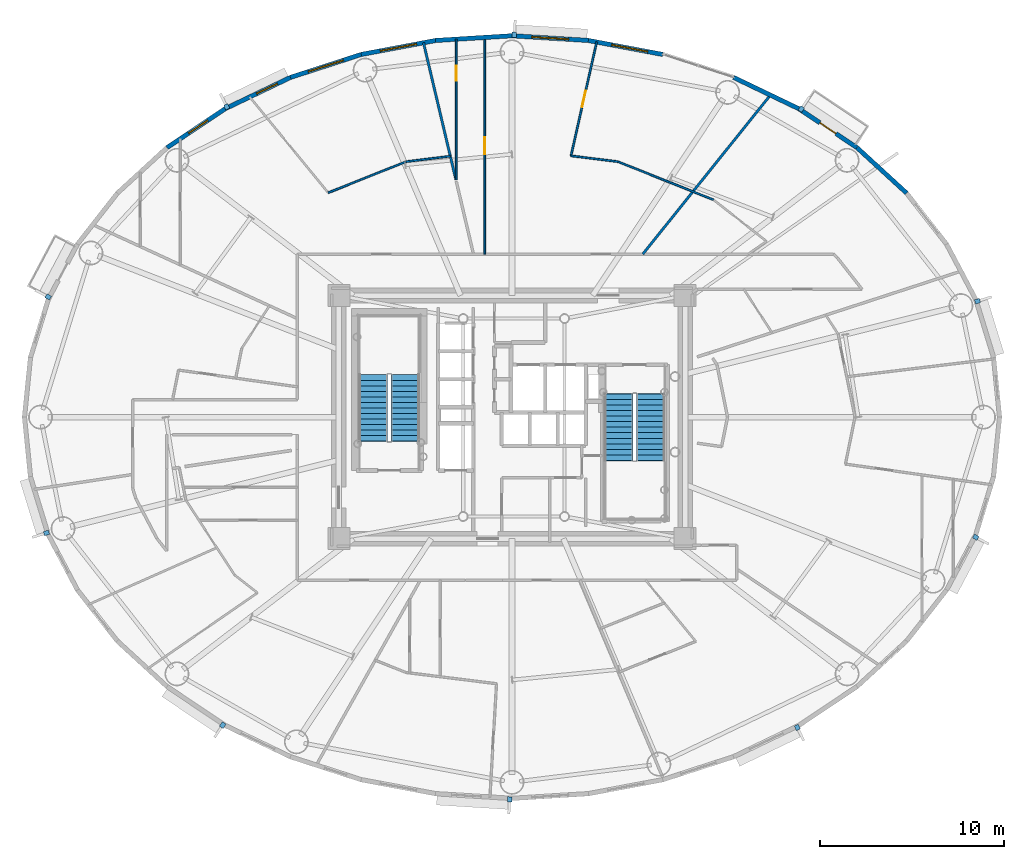
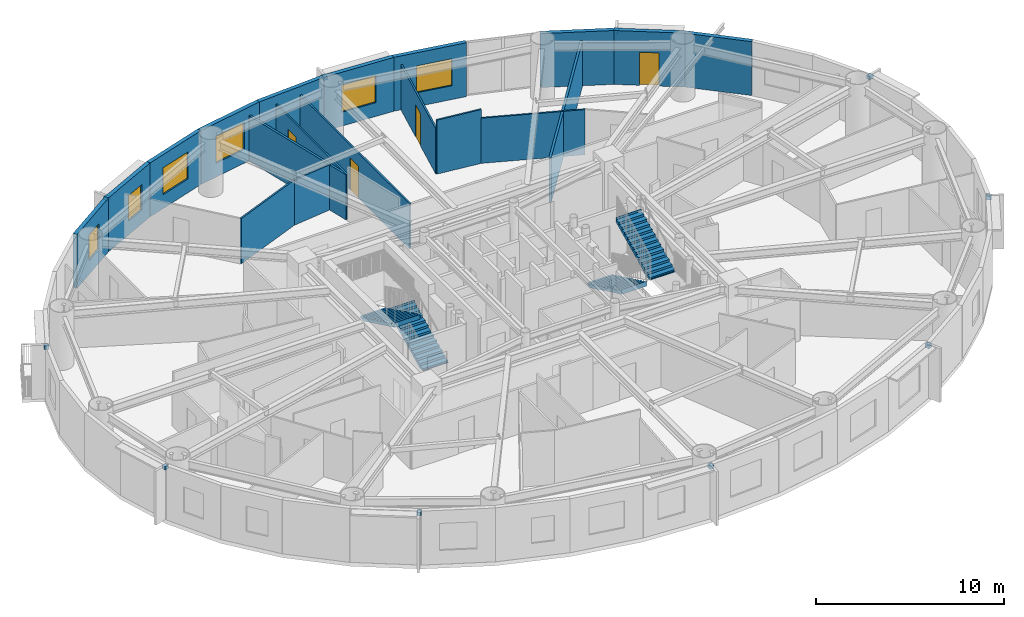
# One storey, part 14 of 21: 19 walls, 10 discrete accessories, 6 windows, 4 doors, 4 stair flights, 10 openings, 2 elements without a shape of their own.
"""IFC4 building model written with IfcOpenShell, lengths in metres."""

import ifcopenshell
import ifcopenshell.guid

model = None  # the IFC model being written
_history = None  # IfcOwnerHistory: only IFC2X3 demands one
_inside = {}  # id of a spatial element -> (the spatial element, [elements in it])
_under = {}  # id of a project, library or spatial element -> (it, [spatial elements below it])
_declared = {}  # id of a project -> (the project, [libraries it declares])
_typed = {}  # id of a type object -> (the type object, [elements of that type])
_made_of = {}  # id of a material, layer set ... -> (it, [elements and type objects made of it])


def new_model(schema):
    """Start an empty IFC model of exactly this schema.

    Asked for "IFC4X3", IfcOpenShell would pick the latest addendum, in which some entities
    have other attributes; the version numbers below select the first issue.
    IFC2X3 requires an IfcOwnerHistory on every rooted entity: one is made here for all.
    """
    global model, _history
    if schema == "IFC4X3":
        model = ifcopenshell.file(schema_version=(4, 3, 0, 0))
    else:
        model = ifcopenshell.file(schema=schema)
    _inside.clear()
    _under.clear()
    _declared.clear()
    _typed.clear()
    _made_of.clear()
    _history = None
    if model.schema == "IFC2X3":
        org = make("IfcOrganization", Name="unknown")
        user = make(
            "IfcPersonAndOrganization",
            ThePerson=make("IfcPerson", FamilyName="unknown"),
            TheOrganization=org,
        )
        app = make(
            "IfcApplication",
            ApplicationDeveloper=org,
            Version="unknown",
            ApplicationFullName="unknown",
            ApplicationIdentifier="unknown",
        )
        _history = make(
            "IfcOwnerHistory",
            OwningUser=user,
            OwningApplication=app,
            ChangeAction="ADDED",
            CreationDate=0,
        )
    return model


def make(cls, **values):
    """One entity of the class cls with the attributes given. An attribute that is None is left unset."""
    return model.create_entity(
        cls, **{name: value for name, value in values.items() if value is not None}
    )


def rooted(cls, **values):
    """An entity with a GlobalId (a new one), such as an element, a storey or a relation."""
    return make(cls, GlobalId=ifcopenshell.guid.new(), OwnerHistory=_history, **values)


def si_unit(unit_type, name, prefix=None):
    """IfcSIUnit, for example si_unit("LENGTHUNIT", "METRE", prefix="MILLI")."""
    return make("IfcSIUnit", UnitType=unit_type, Prefix=prefix, Name=name)


def assignment(units):
    """IfcUnitAssignment: the units of a project."""
    return None if units is None else make("IfcUnitAssignment", Units=units)


def point(xyz):
    """IfcCartesianPoint."""
    return None if xyz is None else make("IfcCartesianPoint", Coordinates=xyz)


def direction(xyz):
    """IfcDirection."""
    return None if xyz is None else make("IfcDirection", DirectionRatios=xyz)


def frame(location, z_axis=None, x_axis=None):
    """IfcAxis2Placement3D, a coordinate frame: its origin and axes. An axis left out is left unset."""
    return make(
        "IfcAxis2Placement3D",
        Location=point(location),
        Axis=direction(z_axis),
        RefDirection=direction(x_axis),
    )


def frame_2d(location, x_axis=None):
    """IfcAxis2Placement2D, a coordinate frame in the plane: its origin and x axis."""
    return make(
        "IfcAxis2Placement2D", Location=point(location), RefDirection=direction(x_axis)
    )


def origin():
    """The frame at (0, 0, 0) with its axes left unset."""
    return frame((0.0, 0.0, 0.0))


def origin_2d():
    """The frame at (0, 0) in the plane with its x axis left unset."""
    return frame_2d((0.0, 0.0))


def place(relative_to, where):
    """IfcLocalPlacement: puts the frame where relative to a parent placement (None: the world)."""
    return make(
        "IfcLocalPlacement", PlacementRelTo=relative_to, RelativePlacement=where
    )


def context(
    kind, dimensions, precision=None, world=None, true_north=None, identifier=None
):
    """IfcGeometricRepresentationContext, for example the 3D "Model" context."""
    return make(
        "IfcGeometricRepresentationContext",
        ContextIdentifier=identifier,
        ContextType=kind,
        CoordinateSpaceDimension=dimensions,
        Precision=precision,
        WorldCoordinateSystem=world,
        TrueNorth=true_north,
    )


def subcontext(parent, identifier, kind, view, scale=None):
    """IfcGeometricRepresentationSubContext, for example "Body" below "Model"."""
    return make(
        "IfcGeometricRepresentationSubContext",
        ContextIdentifier=identifier,
        ContextType=kind,
        ParentContext=parent,
        TargetScale=scale,
        TargetView=view,
    )


def project(units=None, contexts=None):
    """IfcProject with its units and contexts."""
    return rooted(
        "IfcProject",
        Name="project",
        RepresentationContexts=contexts,
        UnitsInContext=assignment(units),
    )


def spatial(cls, under=None, at=None, **own):
    """A site, building, storey or space (cls), placed at a placement, below another one or the project."""
    s = rooted(cls, ObjectPlacement=at, **own)
    if under is not None:
        _under.setdefault(under.id(), (under, []))[1].append(s)
    return s


def polyline(points):
    """IfcPolyline through the points."""
    return make("IfcPolyline", Points=[point(p) for p in points])


def profile(cls, at=None, kind="AREA", **sizes):
    """A parametric profile (cls). Its sizes go by their IFC names, for example OverallWidth=200.0."""
    return make(cls, ProfileType=kind, Position=at, **sizes)


def rectangle(**sizes):
    """IfcRectangleProfileDef."""
    return profile("IfcRectangleProfileDef", **sizes)


def outline(outer, holes=None, kind="AREA"):
    """IfcArbitraryClosedProfileDef: a profile drawn as a closed curve; with holes, ...WithVoids."""
    if holes is None:
        return make("IfcArbitraryClosedProfileDef", ProfileType=kind, OuterCurve=outer)
    return make(
        "IfcArbitraryProfileDefWithVoids",
        ProfileType=kind,
        OuterCurve=outer,
        InnerCurves=holes,
    )


def extrude(swept, where, along, depth):
    """IfcExtrudedAreaSolid: the profile swept, set in the frame where, extruded along a direction by depth."""
    return make(
        "IfcExtrudedAreaSolid",
        SweptArea=swept,
        Position=where,
        ExtrudedDirection=direction(along),
        Depth=depth,
    )


def shape(context_of_items, identifier, shape_type, items):
    """IfcShapeRepresentation: the items that make up one representation, for example the "Body"."""
    return make(
        "IfcShapeRepresentation",
        ContextOfItems=context_of_items,
        RepresentationIdentifier=identifier,
        RepresentationType=shape_type,
        Items=items,
    )


def source(mapping_origin, context_of_items, identifier, shape_type, items):
    """IfcRepresentationMap: a shape defined once, which mapped items show again and again."""
    return make(
        "IfcRepresentationMap",
        MappingOrigin=mapping_origin,
        MappedRepresentation=shape(context_of_items, identifier, shape_type, items),
    )


def transform(
    local_origin,
    x_axis=None,
    y_axis=None,
    z_axis=None,
    scale=None,
    scale2=None,
    scale3=None,
    uniform=True,
):
    """IfcCartesianTransformationOperator3D, or its non-uniform kind. x_axis, y_axis, z_axis: its Axis1, 2, 3."""
    if uniform:
        return make(
            "IfcCartesianTransformationOperator3D",
            Axis1=direction(x_axis),
            Axis2=direction(y_axis),
            LocalOrigin=point(local_origin),
            Scale=scale,
            Axis3=direction(z_axis),
        )
    return make(
        "IfcCartesianTransformationOperator3DnonUniform",
        Axis1=direction(x_axis),
        Axis2=direction(y_axis),
        LocalOrigin=point(local_origin),
        Scale=scale,
        Axis3=direction(z_axis),
        Scale2=scale2,
        Scale3=scale3,
    )


def mapped(mapping_source, mapping_target):
    """IfcMappedItem: shows the shape of a source again, moved by a transform."""
    return make(
        "IfcMappedItem", MappingSource=mapping_source, MappingTarget=mapping_target
    )


def material(Name=None, Category=None):
    """IfcMaterial."""
    return make("IfcMaterial", Name=Name, Category=Category)


def layer(
    of_material, thickness, ventilated=None, Name=None, Category=None, Priority=None
):
    """IfcMaterialLayer: one layer of a wall or slab, of a material (None: an air gap)."""
    return make(
        "IfcMaterialLayer",
        Material=of_material,
        LayerThickness=thickness,
        IsVentilated=ventilated,
        Name=Name,
        Category=Category,
        Priority=Priority,
    )


def layer_set(layers, Name=None):
    """IfcMaterialLayerSet."""
    return make("IfcMaterialLayerSet", MaterialLayers=layers, LayerSetName=Name)


def made_of(thing, what):
    """Note that an element or type object is made of a material, layer set ...; save() writes the relation."""
    if what is not None:
        _made_of.setdefault(what.id(), (what, []))[1].append(thing)
    return thing


def type_object(cls, material=None, **own):
    """A type object (cls), such as IfcWallType, which elements share."""
    return made_of(rooted(cls, **own), material)


def element(
    cls,
    number,
    at=None,
    inside=None,
    cuts=None,
    type_object=None,
    material=None,
    context=None,
    identifier="Body",
    shape_type=None,
    held_by="IfcProductDefinitionShape",
    body=None,
    shapes=None,
    **own,
):
    """One element of the class cls, such as IfcWall. Its Tag is "e" and its number.

    at: its placement. inside: the storey or other place that contains it. cuts: it is an
    opening in that element (IfcRelVoidsElement). A single representation is given by context,
    identifier, shape_type and body (its items); several are given by shapes. held_by: the class
    of the entity that holds the representations. save() writes the other relations.
    """
    e = rooted(cls, Tag="e%d" % number, ObjectPlacement=at, **own)
    if body is not None:
        shapes = [shape(context, identifier, shape_type, body)]
    if shapes is not None:
        e.Representation = make(held_by, Representations=shapes)
    if inside is not None:
        _inside.setdefault(inside.id(), (inside, []))[1].append(e)
    if cuts is not None:
        rooted(
            "IfcRelVoidsElement", RelatingBuildingElement=cuts, RelatedOpeningElement=e
        )
    if type_object is not None:
        _typed.setdefault(type_object.id(), (type_object, []))[1].append(e)
    return made_of(e, material)


def fill(opening, filler):
    """IfcRelFillsElement: the door or window that sits in an opening."""
    return rooted(
        "IfcRelFillsElement",
        RelatingOpeningElement=opening,
        RelatedBuildingElement=filler,
    )


def aggregate(whole, parts):
    """IfcRelAggregates: a whole, such as a stair, and the parts it consists of."""
    return rooted("IfcRelAggregates", RelatingObject=whole, RelatedObjects=parts)


def save(model, path):
    """Write the relations noted so far, then the file.

    IfcRelAggregates (storeys below a building ...), IfcRelContainedInSpatialStructure (elements
    in a storey), IfcRelDefinesByType, IfcRelAssociatesMaterial and IfcRelDeclares: one each for
    every whole, place, type object, material and project.
    """
    for whole, parts in _under.values():
        aggregate(whole, parts)
    for where, things in _inside.values():
        rooted(
            "IfcRelContainedInSpatialStructure",
            RelatedElements=things,
            RelatingStructure=where,
        )
    for kind, things in _typed.values():
        rooted("IfcRelDefinesByType", RelatedObjects=things, RelatingType=kind)
    for what, things in _made_of.values():
        rooted("IfcRelAssociatesMaterial", RelatedObjects=things, RelatingMaterial=what)
    for by, libraries in _declared.values():
        rooted("IfcRelDeclares", RelatingContext=by, RelatedDefinitions=libraries)
    model.write(path)


model = new_model("IFC4")

# Units and contexts
model_context = context("Model", 3, precision=1e-05, world=origin(), true_north=direction((0.0, 1.0)))
body_context = subcontext(model_context, "Body", "Model", "MODEL_VIEW")
ifc_project = project(units=[si_unit("LENGTHUNIT", "METRE"), si_unit("AREAUNIT", "SQUARE_METRE"), si_unit("VOLUMEUNIT", "CUBIC_METRE"), si_unit("PLANEANGLEUNIT", "RADIAN"), si_unit("MASSUNIT", "GRAM", prefix="KILO")], contexts=[model_context])

# Site, building, storey
site_placement = place(None, origin())
site = spatial("IfcSite", under=ifc_project, at=site_placement, CompositionType="ELEMENT")
building_placement = place(site_placement, origin())
building = spatial("IfcBuilding", under=site, at=building_placement, Name="Linh Dai School and Residence Tower", CompositionType="ELEMENT")
storey_placement = place(building_placement, frame((0.0, 0.0, 156.14990234375)))
storey = spatial("IfcBuildingStorey", under=building, at=storey_placement, Name="L37", CompositionType="ELEMENT", Elevation=156.14990234375)

# Wall
ifc_material_1 = material(Name="Precast Concrete B45 (C35/45)", Category="concrete")
ifc_layer_1 = layer(ifc_material_1, 0.239990234375)
ifc_layer_set_1 = layer_set([ifc_layer_1], Name="Precast Concrete B45 (C35/45)")
wall_type_1 = type_object("IfcWallType", Name="EW-TC-240", PredefinedType="SOLIDWALL", material=ifc_layer_set_1)
wall_1_placement = place(storey_placement, frame((54.73193359375, 41.630615234375, 0.0), z_axis=(0.0, 0.0, 1.0), x_axis=(0.737076565834, -0.675809245349, 0.0)))
element("IfcWall", 1, at=wall_1_placement, inside=storey, type_object=wall_type_1, Name="L37 Terracotta Exterior Wall 05", PredefinedType="SOLIDWALL", context=body_context, shape_type="SweptSolid", body=[
    extrude(rectangle(XDim=3.658203125, YDim=0.239990234375, at=frame_2d((1.8291015625, 0.0))), origin(), (0.0, 0.0, 1.0), 3.5),
])

# Wall, opening, door
wall_2_placement = place(storey_placement, frame((51.5732421875, 43.7431640625, 0.0), z_axis=(0.0, 0.0, 1.0), x_axis=(0.831228998277, -0.555930168657, 0.0)))
wall_2 = element("IfcWall", 2, at=wall_2_placement, inside=storey, type_object=wall_type_1, Name="L37 Terracotta Exterior Wall 06", PredefinedType="SOLIDWALL", context=body_context, shape_type="SweptSolid", body=[
    extrude(rectangle(XDim=3.800048828125, YDim=0.239990234375, at=frame_2d((1.89990234375, 0.0))), origin(), (0.0, 0.0, 1.0), 3.5),
])
opening_1_placement = place(wall_2_placement, frame((1.375, 0.0, 0.0)))
opening_1 = element("IfcOpeningElement", 3, at=opening_1_placement, cuts=wall_2, Name="Opening BD1", PredefinedType="OPENING", context=body_context, shape_type="SweptSolid", body=[
    extrude(rectangle(XDim=1.050048828125, YDim=2.14990234375, at=origin_2d()), frame((0.52490234375, 0.1298828125, 1.074951171875), z_axis=(0.0, -1.0, 0.0), x_axis=(1.0, 0.0, 0.0)), (0.0, 0.0, 1.0), 0.260009765625),
])
ifc_material_2 = material(Name="Double-Glazed Balcony Door", Category="glass")
door_type_1 = type_object("IfcDoorType", Name="DR-BALC-1050x2150", OperationType="NOTDEFINED", PredefinedType="DOOR", material=ifc_material_2)
shared_shape_1 = source(origin(), body_context, "Body", "SweptSolid", [
    extrude(rectangle(XDim=1.050048828125, YDim=2.14990234375, at=origin_2d()), frame((0.52490234375, 0.02490234375, 1.074951171875), z_axis=(0.0, -1.0, 0.0), x_axis=(1.0, 0.0, 0.0)), (0.0, 0.0, 1.0), 0.050048828125),
])
door_1_placement = place(opening_1_placement, origin())
door_1 = element("IfcDoor", 4, at=door_1_placement, inside=storey, type_object=door_type_1, Name="L37 Glazed Balcony Door 06", OperationType="SINGLE_SWING_RIGHT", OverallHeight=2.14990234375, OverallWidth=1.050048828125, PredefinedType="DOOR", context=body_context, shape_type="MappedRepresentation", body=[
    mapped(shared_shape_1, transform((0.0, 0.0, 0.0), x_axis=(1.0, 0.0, 0.0), y_axis=(0.0, 1.0, 0.0), z_axis=(0.0, 0.0, 1.0), scale=1.0)),
])
fill(opening_1, door_1)

# Wall
wall_3_placement = place(storey_placement, frame((48.02978515625, 45.443603515625, 0.0), z_axis=(0.0, 0.0, 1.0), x_axis=(0.901564733809, -0.432644231155, 0.0)))
element("IfcWall", 5, at=wall_3_placement, inside=storey, type_object=wall_type_1, Name="L37 Terracotta Exterior Wall 07", PredefinedType="SOLIDWALL", context=body_context, shape_type="SweptSolid", body=[
    extrude(rectangle(XDim=3.930419921875, YDim=0.239990234375, at=frame_2d((1.96533203125, 0.0))), origin(), (0.0, 0.0, 1.0), 3.5),
])

# Wall, opening, window
wall_4_placement = place(storey_placement, frame((40.145751953125, 47.449462890625, 0.0), z_axis=(0.0, 0.0, 1.0), x_axis=(0.982788108205, -0.184736391573, 0.0)))
wall_4 = element("IfcWall", 6, at=wall_4_placement, inside=storey, type_object=wall_type_1, Name="L37 Terracotta Exterior Wall 09", PredefinedType="SOLIDWALL", context=body_context, shape_type="SweptSolid", body=[
    extrude(rectangle(XDim=4.114013671875, YDim=0.239990234375, at=frame_2d((2.05712890625, 0.0))), origin(), (0.0, 0.0, 1.0), 3.5),
])
opening_2_placement = place(wall_4_placement, frame((1.281005859375, 0.0, 0.89990234375)))
opening_2 = element("IfcOpeningElement", 7, at=opening_2_placement, cuts=wall_4, Name="Opening W1", PredefinedType="OPENING", context=body_context, shape_type="SweptSolid", body=[
    extrude(rectangle(XDim=2.0, YDim=1.75, at=origin_2d()), frame((1.0, 0.1298828125, 0.875), z_axis=(0.0, -1.0, 0.0), x_axis=(1.0, 0.0, 0.0)), (0.0, 0.0, 1.0), 0.260009765625),
])
ifc_material_3 = material(Name="Double Low-E Insulated Glazing", Category="glass")
window_type_1 = type_object("IfcWindowType", Name="WN-RES-2000x1750", PartitioningType="DOUBLE_PANEL_VERTICAL", PredefinedType="WINDOW", material=ifc_material_3)
shared_shape_2 = source(origin(), body_context, "Body", "SweptSolid", [
    extrude(rectangle(XDim=2.0, YDim=1.75, at=origin_2d()), frame((1.0, 0.030029296875, 0.875), z_axis=(0.0, -1.0, 0.0), x_axis=(1.0, 0.0, 0.0)), (0.0, 0.0, 1.0), 0.06005859375),
])
window_1_placement = place(opening_2_placement, origin())
window_1 = element("IfcWindow", 8, at=window_1_placement, inside=storey, type_object=window_type_1, Name="L37 Exterior Window 09.1", OverallHeight=1.75, OverallWidth=2.0, PartitioningType="DOUBLE_PANEL_VERTICAL", PredefinedType="WINDOW", context=body_context, shape_type="MappedRepresentation", body=[
    mapped(shared_shape_2, transform((0.0, 0.0, 0.0), x_axis=(1.0, 0.0, 0.0), y_axis=(0.0, 1.0, 0.0), z_axis=(0.0, 0.0, 1.0), scale=1.0)),
])
fill(opening_2, window_1)

wall_5_placement = place(storey_placement, frame((36.0, 47.705078125, 0.0), z_axis=(0.0, 0.0, 1.0), x_axis=(0.998104600619, -0.061540281305, 0.0)))
wall_5 = element("IfcWall", 9, at=wall_5_placement, inside=storey, type_object=wall_type_1, Name="L37 Terracotta Exterior Wall 10", PredefinedType="SOLIDWALL", context=body_context, shape_type="SweptSolid", body=[
    extrude(rectangle(XDim=4.153564453125, YDim=0.239990234375, at=frame_2d((2.07666015625, 0.0))), origin(), (0.0, 0.0, 1.0), 3.5),
])
opening_3_placement = place(wall_5_placement, frame((1.076904296875, 0.0, 0.89990234375)))
opening_3 = element("IfcOpeningElement", 10, at=opening_3_placement, cuts=wall_5, Name="Opening W1", PredefinedType="OPENING", context=body_context, shape_type="SweptSolid", body=[
    extrude(rectangle(XDim=2.0, YDim=1.75, at=origin_2d()), frame((1.0, 0.1298828125, 0.875), z_axis=(0.0, -1.0, 0.0), x_axis=(1.0, 0.0, 0.0)), (0.0, 0.0, 1.0), 0.260009765625),
])
window_2_placement = place(opening_3_placement, origin())
window_2 = element("IfcWindow", 11, at=window_2_placement, inside=storey, type_object=window_type_1, Name="L37 Exterior Window 10.1", OverallHeight=1.75, OverallWidth=2.0, PartitioningType="DOUBLE_PANEL_VERTICAL", PredefinedType="WINDOW", context=body_context, shape_type="MappedRepresentation", body=[
    mapped(shared_shape_2, transform((0.0, 0.0, 0.0), x_axis=(1.0, 0.0, 0.0), y_axis=(0.0, 1.0, 0.0), z_axis=(0.0, 0.0, 1.0), scale=1.0)),
])
fill(opening_3, window_2)

# Wall
wall_6_placement = place(storey_placement, frame((31.854248046875, 47.449462890625, 0.0), z_axis=(0.0, 0.0, 1.0), x_axis=(0.998104600619, 0.061540281305, 0.0)))
element("IfcWall", 12, at=wall_6_placement, inside=storey, type_object=wall_type_1, Name="L37 Terracotta Exterior Wall 11", PredefinedType="SOLIDWALL", context=body_context, shape_type="SweptSolid", body=[
    extrude(rectangle(XDim=4.153564453125, YDim=0.239990234375, at=frame_2d((2.07666015625, 0.0))), origin(), (0.0, 0.0, 1.0), 3.5),
])

# Wall, opening, window
wall_7_placement = place(storey_placement, frame((27.81103515625, 46.689453125, 0.0), z_axis=(0.0, 0.0, 1.0), x_axis=(0.982788108205, 0.184736391573, 0.0)))
wall_7 = element("IfcWall", 13, at=wall_7_placement, inside=storey, type_object=wall_type_1, Name="L37 Terracotta Exterior Wall 12", PredefinedType="SOLIDWALL", context=body_context, shape_type="SweptSolid", body=[
    extrude(rectangle(XDim=4.114013671875, YDim=0.239990234375, at=frame_2d((2.05712890625, 0.0))), origin(), (0.0, 0.0, 1.0), 3.5),
])
opening_4_placement = place(wall_7_placement, frame((1.05712890625, 0.0, 0.89990234375)))
opening_4 = element("IfcOpeningElement", 14, at=opening_4_placement, cuts=wall_7, Name="Opening W1", PredefinedType="OPENING", context=body_context, shape_type="SweptSolid", body=[
    extrude(rectangle(XDim=2.0, YDim=1.75, at=origin_2d()), frame((1.0, 0.1298828125, 0.875), z_axis=(0.0, -1.0, 0.0), x_axis=(1.0, 0.0, 0.0)), (0.0, 0.0, 1.0), 0.260009765625),
])
window_3_placement = place(opening_4_placement, origin())
window_3 = element("IfcWindow", 15, at=window_3_placement, inside=storey, type_object=window_type_1, Name="L37 Exterior Window 12.1", OverallHeight=1.75, OverallWidth=2.0, PartitioningType="DOUBLE_PANEL_VERTICAL", PredefinedType="WINDOW", context=body_context, shape_type="MappedRepresentation", body=[
    mapped(shared_shape_2, transform((0.0, 0.0, 0.0), x_axis=(1.0, 0.0, 0.0), y_axis=(0.0, 1.0, 0.0), z_axis=(0.0, 0.0, 1.0), scale=1.0)),
])
fill(opening_4, window_3)

wall_8_placement = place(storey_placement, frame((23.97021484375, 45.443603515625, 0.0), z_axis=(0.0, 0.0, 1.0), x_axis=(0.951209870236, 0.30854462038, 0.0)))
wall_8 = element("IfcWall", 16, at=wall_8_placement, inside=storey, type_object=wall_type_1, Name="L37 Terracotta Exterior Wall 13", PredefinedType="SOLIDWALL", context=body_context, shape_type="SweptSolid", body=[
    extrude(rectangle(XDim=4.037841796875, YDim=0.239990234375, at=frame_2d((2.01904296875, 0.0))), origin(), (0.0, 0.0, 1.0), 3.5),
])
opening_5_placement = place(wall_8_placement, frame((1.01904296875, 0.0, 0.89990234375)))
opening_5 = element("IfcOpeningElement", 17, at=opening_5_placement, cuts=wall_8, Name="Opening W1", PredefinedType="OPENING", context=body_context, shape_type="SweptSolid", body=[
    extrude(rectangle(XDim=2.0, YDim=1.75, at=origin_2d()), frame((1.0, 0.1298828125, 0.875), z_axis=(0.0, -1.0, 0.0), x_axis=(1.0, 0.0, 0.0)), (0.0, 0.0, 1.0), 0.260009765625),
])
window_4_placement = place(opening_5_placement, origin())
window_4 = element("IfcWindow", 18, at=window_4_placement, inside=storey, type_object=window_type_1, Name="L37 Exterior Window 13.1", OverallHeight=1.75, OverallWidth=2.0, PartitioningType="DOUBLE_PANEL_VERTICAL", PredefinedType="WINDOW", context=body_context, shape_type="MappedRepresentation", body=[
    mapped(shared_shape_2, transform((0.0, 0.0, 0.0), x_axis=(1.0, 0.0, 0.0), y_axis=(0.0, 1.0, 0.0), z_axis=(0.0, 0.0, 1.0), scale=1.0)),
])
fill(opening_5, window_4)

wall_9_placement = place(storey_placement, frame((20.4267578125, 43.7431640625, 0.0), z_axis=(0.0, 0.0, 1.0), x_axis=(0.901564733809, 0.432644231155, 0.0)))
wall_9 = element("IfcWall", 19, at=wall_9_placement, inside=storey, type_object=wall_type_1, Name="L37 Terracotta Exterior Wall 14", PredefinedType="SOLIDWALL", context=body_context, shape_type="SweptSolid", body=[
    extrude(rectangle(XDim=3.930419921875, YDim=0.239990234375, at=frame_2d((1.96533203125, 0.0))), origin(), (0.0, 0.0, 1.0), 3.5),
])
opening_6_placement = place(wall_9_placement, frame((1.900390625, 0.0, 0.89990234375)))
opening_6 = element("IfcOpeningElement", 20, at=opening_6_placement, cuts=wall_9, Name="Opening W3", PredefinedType="OPENING", context=body_context, shape_type="SweptSolid", body=[
    extrude(rectangle(XDim=1.25, YDim=1.64990234375, at=origin_2d()), frame((0.625, 0.1298828125, 0.824951171875), z_axis=(0.0, -1.0, 0.0), x_axis=(1.0, 0.0, 0.0)), (0.0, 0.0, 1.0), 0.260009765625),
])
window_type_2 = type_object("IfcWindowType", Name="WN-RES-1250x1650", PartitioningType="SINGLE_PANEL", PredefinedType="WINDOW", material=ifc_material_3)
shared_shape_3 = source(origin(), body_context, "Body", "SweptSolid", [
    extrude(rectangle(XDim=1.25, YDim=1.64990234375, at=origin_2d()), frame((0.625, 0.030029296875, 0.824951171875), z_axis=(0.0, -1.0, 0.0), x_axis=(1.0, 0.0, 0.0)), (0.0, 0.0, 1.0), 0.06005859375),
])
window_5_placement = place(opening_6_placement, origin())
window_5 = element("IfcWindow", 21, at=window_5_placement, inside=storey, type_object=window_type_2, Name="L37 Exterior Window 14.1", OverallHeight=1.64990234375, OverallWidth=1.25, PartitioningType="SINGLE_PANEL", PredefinedType="WINDOW", context=body_context, shape_type="MappedRepresentation", body=[
    mapped(shared_shape_3, transform((0.0, 0.0, 0.0), x_axis=(1.0, 0.0, 0.0), y_axis=(0.0, 1.0, 0.0), z_axis=(0.0, 0.0, 1.0), scale=1.0)),
])
fill(opening_6, window_5)

wall_10_placement = place(storey_placement, frame((17.26806640625, 41.630615234375, 0.0), z_axis=(0.0, 0.0, 1.0), x_axis=(0.831228998277, 0.555930168657, 0.0)))
wall_10 = element("IfcWall", 22, at=wall_10_placement, inside=storey, type_object=wall_type_1, Name="L37 Terracotta Exterior Wall 15", PredefinedType="SOLIDWALL", context=body_context, shape_type="SweptSolid", body=[
    extrude(rectangle(XDim=3.800048828125, YDim=0.239990234375, at=frame_2d((1.89990234375, 0.0))), origin(), (0.0, 0.0, 1.0), 3.5),
])
opening_7_placement = place(wall_10_placement, frame((1.4052734375, 0.0, 0.89990234375)))
opening_7 = element("IfcOpeningElement", 23, at=opening_7_placement, cuts=wall_10, Name="Opening W3", PredefinedType="OPENING", context=body_context, shape_type="SweptSolid", body=[
    extrude(rectangle(XDim=1.25, YDim=1.64990234375, at=origin_2d()), frame((0.625, 0.1298828125, 0.824951171875), z_axis=(0.0, -1.0, 0.0), x_axis=(1.0, 0.0, 0.0)), (0.0, 0.0, 1.0), 0.260009765625),
])
window_6_placement = place(opening_7_placement, origin())
window_6 = element("IfcWindow", 24, at=window_6_placement, inside=storey, type_object=window_type_2, Name="L37 Dwelling Window U3703-LIV", OverallHeight=1.64990234375, OverallWidth=1.25, PartitioningType="SINGLE_PANEL", PredefinedType="WINDOW", context=body_context, shape_type="MappedRepresentation", body=[
    mapped(shared_shape_3, transform((0.0, 0.0, 0.0), x_axis=(1.0, 0.0, 0.0), y_axis=(0.0, 1.0, 0.0), z_axis=(0.0, 0.0, 1.0), scale=1.0)),
])
fill(opening_7, window_6)

# Walls
ifc_material_4 = material(Name="Autoclaved Aerated Concrete Blockwork", Category="masonry")
ifc_layer_2 = layer(ifc_material_4, 0.135009765625)
ifc_layer_set_2 = layer_set([ifc_layer_2], Name="Autoclaved Aerated Concrete Blockwork")
wall_type_2 = type_object("IfcWallType", Name="IW-CORR-135-EI90", PredefinedType="PARTITIONING", material=ifc_layer_set_2)
wall_11_placement = place(storey_placement, frame((31.193603515625, 47.330322265625, 0.0), z_axis=(0.0, 0.0, 1.0), x_axis=(0.230064999041, -0.973175264902, 0.0)))
element("IfcWall", 25, at=wall_11_placement, inside=storey, type_object=wall_type_2, Name="L37 Interior Partition Wall 035", PredefinedType="PARTITIONING", context=body_context, shape_type="SweptSolid", body=[
    extrude(rectangle(XDim=7.654296875, YDim=0.135009765625, at=frame_2d((3.8271484375, 0.0))), origin(), (0.0, 0.0, 1.0), 2.93505859375),
])
wall_12_placement = place(storey_placement, frame((43.10205078125, 35.85009765625, 0.0), z_axis=(0.0, 0.0, 1.0), x_axis=(0.62588794771, 0.779912993168, 0.0)))
element("IfcWall", 26, at=wall_12_placement, inside=storey, type_object=wall_type_2, Name="L37 Interior Partition Wall 079", PredefinedType="PARTITIONING", context=body_context, shape_type="SweptSolid", body=[
    extrude(rectangle(XDim=11.074951171875, YDim=0.135009765625, at=frame_2d((5.53759765625, 0.0))), origin(), (0.0, 0.0, 1.0), 2.93505859375),
])
ifc_material_5 = material(Name="Gypsum Plasterboard Acoustic Stud Partition", Category="masonry")
ifc_layer_3 = layer(ifc_material_5, 0.10009765625)
ifc_layer_set_3 = layer_set([ifc_layer_3], Name="Gypsum Plasterboard Acoustic Stud Partition")
wall_type_3 = type_object("IfcWallType", Name="IW-UNIT-100", PredefinedType="PARTITIONING", material=ifc_layer_set_3)
wall_13_placement = place(storey_placement, frame((26.020751953125, 39.181396484375, 0.0), z_axis=(0.0, 0.0, 1.0), x_axis=(0.928787254853, 0.37061332305, 0.0)))
element("IfcWall", 27, at=wall_13_placement, inside=storey, type_object=wall_type_3, Name="L37 Interior Partition Wall 028", PredefinedType="PARTITIONING", context=body_context, shape_type="SweptSolid", body=[
    extrude(rectangle(XDim=4.54931640625, YDim=0.10009765625, at=frame_2d((2.274658203125, 0.0))), origin(), (0.0, 0.0, 1.0), 2.93505859375),
])
wall_14_placement = place(storey_placement, frame((30.24609375, 40.867431640625, 0.0), z_axis=(0.0, 0.0, 1.0), x_axis=(0.99240598239, 0.123005553192, 0.0)))
element("IfcWall", 28, at=wall_14_placement, inside=storey, type_object=wall_type_3, Name="L37 Interior Partition Wall 032", PredefinedType="PARTITIONING", context=body_context, shape_type="SweptSolid", body=[
    extrude(rectangle(XDim=2.42333984375, YDim=0.10009765625, at=frame_2d((1.211669921875, 0.0))), origin(), (0.0, 0.0, 1.0), 2.93505859375),
])

# Wall, opening, door
wall_15_placement = place(storey_placement, frame((32.975830078125, 39.884033203125, 0.0), z_axis=(0.0, 0.0, 1.0), x_axis=(0.0, 1.0, 0.0)))
wall_15 = element("IfcWall", 29, at=wall_15_placement, inside=storey, type_object=wall_type_3, Name="L37 Interior Partition Wall 044", PredefinedType="PARTITIONING", context=body_context, shape_type="SweptSolid", body=[
    extrude(rectangle(XDim=7.6396484375, YDim=0.10009765625, at=frame_2d((3.81982421875, 0.0))), origin(), (0.0, 0.0, 1.0), 2.93505859375),
])
opening_8_placement = place(wall_15_placement, frame((5.3837890625, 0.0, 0.0)))
opening_8 = element("IfcOpeningElement", 30, at=opening_8_placement, cuts=wall_15, Name="Opening D06", PredefinedType="OPENING", context=body_context, shape_type="SweptSolid", body=[
    extrude(rectangle(XDim=0.820068359375, YDim=2.10009765625, at=origin_2d()), frame((0.41015625, 0.06005859375, 1.050048828125), z_axis=(0.0, -1.0, 0.0), x_axis=(1.0, 0.0, 0.0)), (0.0, 0.0, 1.0), 0.1201171875),
])
ifc_material_6 = material(Name="Moisture-Resistant Timber Bathroom Door", Category="wood")
door_type_2 = type_object("IfcDoorType", Name="DR-WET-820x2100", OperationType="NOTDEFINED", PredefinedType="DOOR", material=ifc_material_6)
shared_shape_4 = source(origin(), body_context, "Body", "SweptSolid", [
    extrude(rectangle(XDim=0.820068359375, YDim=2.10009765625, at=origin_2d()), frame((0.41015625, 0.02490234375, 1.050048828125), z_axis=(0.0, -1.0, 0.0), x_axis=(1.0, 0.0, 0.0)), (0.0, 0.0, 1.0), 0.050048828125),
])
door_2_placement = place(opening_8_placement, origin())
door_2 = element("IfcDoor", 31, at=door_2_placement, inside=storey, type_object=door_type_2, Name="L37 Apartment U3702 Bathroom 1 Door", OperationType="SINGLE_SWING_LEFT", OverallHeight=2.10009765625, OverallWidth=0.820068359375, PredefinedType="DOOR", context=body_context, shape_type="MappedRepresentation", body=[
    mapped(shared_shape_4, transform((0.0, 0.0, 0.0), x_axis=(1.0, 0.0, 0.0), y_axis=(0.0, 1.0, 0.0), z_axis=(0.0, 0.0, 1.0), scale=1.0)),
])
fill(opening_8, door_2)

wall_16_placement = place(storey_placement, frame((34.517578125, 35.85009765625, 0.0), z_axis=(0.0, 0.0, 1.0), x_axis=(0.0, 1.0, 0.0)))
wall_16 = element("IfcWall", 32, at=wall_16_placement, inside=storey, type_object=wall_type_3, Name="L37 Interior Partition Wall 046", PredefinedType="PARTITIONING", context=body_context, shape_type="SweptSolid", body=[
    extrude(rectangle(XDim=11.7685546875, YDim=0.10009765625, at=frame_2d((5.88427734375, 0.0))), origin(), (0.0, 0.0, 1.0), 2.93505859375),
])
opening_9_placement = place(wall_16_placement, frame((5.434326171875, 0.0, 0.0)))
opening_9 = element("IfcOpeningElement", 33, at=opening_9_placement, cuts=wall_16, Name="Opening D05", PredefinedType="OPENING", context=body_context, shape_type="SweptSolid", body=[
    extrude(rectangle(XDim=0.89990234375, YDim=2.10009765625, at=origin_2d()), frame((0.449951171875, 0.06005859375, 1.050048828125), z_axis=(0.0, -1.0, 0.0), x_axis=(1.0, 0.0, 0.0)), (0.0, 0.0, 1.0), 0.1201171875),
])
ifc_material_7 = material(Name="Engineered Timber Internal Door", Category="wood")
door_type_3 = type_object("IfcDoorType", Name="DR-INT-900x2100", OperationType="NOTDEFINED", PredefinedType="DOOR", material=ifc_material_7)
shared_shape_5 = source(origin(), body_context, "Body", "SweptSolid", [
    extrude(rectangle(XDim=0.89990234375, YDim=2.10009765625, at=origin_2d()), frame((0.449951171875, 0.02490234375, 1.050048828125), z_axis=(0.0, -1.0, 0.0), x_axis=(1.0, 0.0, 0.0)), (0.0, 0.0, 1.0), 0.050048828125),
])
door_3_placement = place(opening_9_placement, origin())
door_3 = element("IfcDoor", 34, at=door_3_placement, inside=storey, type_object=door_type_3, Name="L37 Apartment U3702 Kitchen Door", OperationType="SINGLE_SWING_RIGHT", OverallHeight=2.10009765625, OverallWidth=0.89990234375, PredefinedType="DOOR", context=body_context, shape_type="MappedRepresentation", body=[
    mapped(shared_shape_5, transform((0.0, 0.0, 0.0), x_axis=(1.0, 0.0, 0.0), y_axis=(0.0, 1.0, 0.0), z_axis=(0.0, 0.0, 1.0), scale=1.0)),
])
fill(opening_9, door_3)

wall_17_placement = place(storey_placement, frame((39.202392578125, 41.183837890625, 0.0), z_axis=(0.0, 0.0, 1.0), x_axis=(0.220223056883, 0.975449540067, 0.0)))
wall_17 = element("IfcWall", 35, at=wall_17_placement, inside=storey, type_object=wall_type_3, Name="L37 Interior Partition Wall 067", PredefinedType="PARTITIONING", context=body_context, shape_type="SweptSolid", body=[
    extrude(rectangle(XDim=6.34130859375, YDim=0.10009765625, at=frame_2d((3.170654296875, 0.0))), origin(), (0.0, 0.0, 1.0), 2.93505859375),
])
opening_10_placement = place(wall_17_placement, frame((2.720703125, 0.0, 0.0)))
opening_10 = element("IfcOpeningElement", 36, at=opening_10_placement, cuts=wall_17, Name="Opening D05", PredefinedType="OPENING", context=body_context, shape_type="SweptSolid", body=[
    extrude(rectangle(XDim=0.89990234375, YDim=2.10009765625, at=origin_2d()), frame((0.449951171875, 0.06005859375, 1.050048828125), z_axis=(0.0, -1.0, 0.0), x_axis=(1.0, 0.0, 0.0)), (0.0, 0.0, 1.0), 0.1201171875),
])
door_4_placement = place(opening_10_placement, origin())
door_4 = element("IfcDoor", 37, at=door_4_placement, inside=storey, type_object=door_type_3, Name="L37 Apartment U3702 Principal Bedroom 1 Door", OperationType="SINGLE_SWING_LEFT", OverallHeight=2.10009765625, OverallWidth=0.89990234375, PredefinedType="DOOR", context=body_context, shape_type="MappedRepresentation", body=[
    mapped(shared_shape_5, transform((0.0, 0.0, 0.0), x_axis=(1.0, 0.0, 0.0), y_axis=(0.0, 1.0, 0.0), z_axis=(0.0, 0.0, 1.0), scale=1.0)),
])
fill(opening_10, door_4)

# Walls
wall_18_placement = place(storey_placement, frame((39.202392578125, 41.183837890625, 0.0), z_axis=(0.0, 0.0, 1.0), x_axis=(0.992398655735, -0.123064650065, 0.0)))
element("IfcWall", 38, at=wall_18_placement, inside=storey, type_object=wall_type_3, Name="L37 Interior Partition Wall 068", PredefinedType="PARTITIONING", context=body_context, shape_type="SweptSolid", body=[
    extrude(rectangle(XDim=2.571044921875, YDim=0.10009765625, at=frame_2d((1.28564453125, 0.0))), origin(), (0.0, 0.0, 1.0), 3.5),
])
wall_19_placement = place(storey_placement, frame((41.75390625, 40.867431640625, 0.0), z_axis=(0.0, 0.0, 1.0), x_axis=(0.928789673623, -0.370607261359, 0.0)))
element("IfcWall", 39, at=wall_19_placement, inside=storey, type_object=wall_type_3, Name="L37 Interior Partition Wall 077", PredefinedType="PARTITIONING", context=body_context, shape_type="SweptSolid", body=[
    extrude(rectangle(XDim=5.5888671875, YDim=0.10009765625, at=frame_2d((2.79443359375, 0.0))), origin(), (0.0, 0.0, 1.0), 2.93505859375),
])

# Stair, stair flights
ifc_material_8 = material(Name="Concrete B45 (C35/45)", Category="concrete")
stair_type = type_object("IfcStairType", Name="ST-DOG-1550-R1442", PredefinedType="HALF_TURN_STAIR", material=ifc_material_8)
stair_1_placement = place(storey_placement, origin())
stair_1 = element("IfcStair", 40, at=stair_1_placement, inside=storey, type_object=stair_type, Name="L37 Core Smokeproof Exit Stair ST1", PredefinedType="HALF_TURN_STAIR")
stair_flight_type = type_object("IfcStairFlightType", Name="STF-STR-1550-R1442", PredefinedType="STRAIGHT", material=ifc_material_8)
shared_shape_6 = source(origin(), body_context, "Body", "SweptSolid", [
    extrude(outline(polyline([(-0.02490234375, 0.0), (-0.02490234375, 0.06005859375), (0.0, 0.06005859375), (0.0, 0.144287109375), (0.300048828125, 0.144287109375), (0.300048828125, 0.28857421875), (0.60009765625, 0.28857421875), (0.60009765625, 0.4326171875), (0.89990234375, 0.4326171875), (0.89990234375, 0.576904296875), (1.199951171875, 0.576904296875), (1.199951171875, 0.72119140625), (1.5, 0.72119140625), (1.5, 0.865478515625), (1.800048828125, 0.865478515625), (1.800048828125, 1.009521484375), (2.10009765625, 1.009521484375), (2.10009765625, 1.15380859375), (2.39990234375, 1.15380859375), (2.39990234375, 1.298095703125), (2.699951171875, 1.298095703125), (2.699951171875, 1.4423828125), (3.0, 1.4423828125), (3.0, 1.58642578125), (3.300048828125, 1.58642578125), (3.300048828125, 1.730712890625), (3.60009765625, 1.730712890625), (3.60009765625, 1.875), (3.625, 1.875), (3.625, 1.564453125), (3.60009765625, 1.564453125), (0.345947265625, 0.0), (-0.02490234375, 0.0)])), frame((0.0, 0.77490234375, 0.0), z_axis=(0.0, -1.0, 0.0), x_axis=(1.0, 0.0, 0.0)), (0.0, 0.0, 1.0), 1.550048828125),
])
stair_flight_1_placement = place(storey_placement, frame((30.205078125, 25.699951171875, 0.0), z_axis=(0.0, 0.0, 1.0), x_axis=(0.0, 1.0, 0.0)))
stair_flight_1 = element("IfcStairFlight", 41, at=stair_flight_1_placement, type_object=stair_flight_type, Name="ST1 flight 1", NumberOfRisers=13, NumberOfTreads=12, PredefinedType="STRAIGHT", RiserHeight=0.144230769, TreadLength=0.3, context=body_context, shape_type="MappedRepresentation", body=[
    mapped(shared_shape_6, transform((0.0, 0.0, 0.0), x_axis=(1.0, 0.0, 0.0), y_axis=(0.0, 1.0, 0.0), z_axis=(0.0, 0.0, 1.0), scale=1.0)),
])
stair_flight_2_placement = place(storey_placement, frame((28.455078125, 29.300048828125, 1.875), z_axis=(0.0, 0.0, 1.0), x_axis=(0.0, -1.0, 0.0)))
stair_flight_2 = element("IfcStairFlight", 42, at=stair_flight_2_placement, type_object=stair_flight_type, Name="ST1 flight 2", NumberOfRisers=13, NumberOfTreads=12, PredefinedType="STRAIGHT", RiserHeight=0.144230769, TreadLength=0.3, context=body_context, shape_type="MappedRepresentation", body=[
    mapped(shared_shape_6, transform((0.0, 0.0, 0.0), x_axis=(1.0, 0.0, 0.0), y_axis=(0.0, 1.0, 0.0), z_axis=(0.0, 0.0, 1.0), scale=1.0)),
])
aggregate(stair_1, [stair_flight_1, stair_flight_2])

stair_2_placement = place(storey_placement, origin())
stair_2 = element("IfcStair", 43, at=stair_2_placement, inside=storey, type_object=stair_type, Name="L37 Core Smokeproof Exit Stair ST2", PredefinedType="HALF_TURN_STAIR")
stair_flight_3_placement = place(storey_placement, frame((41.794921875, 28.25, 0.0), z_axis=(0.0, 0.0, 1.0), x_axis=(0.0, -1.0, 0.0)))
stair_flight_3 = element("IfcStairFlight", 44, at=stair_flight_3_placement, type_object=stair_flight_type, Name="ST2 flight 1", NumberOfRisers=13, NumberOfTreads=12, PredefinedType="STRAIGHT", RiserHeight=0.144230769, TreadLength=0.3, context=body_context, shape_type="MappedRepresentation", body=[
    mapped(shared_shape_6, transform((0.0, 0.0, 0.0), x_axis=(1.0, 0.0, 0.0), y_axis=(0.0, 1.0, 0.0), z_axis=(0.0, 0.0, 1.0), scale=1.0)),
])
stair_flight_4_placement = place(storey_placement, frame((43.544921875, 24.64990234375, 1.875), z_axis=(0.0, 0.0, 1.0), x_axis=(0.0, 1.0, 0.0)))
stair_flight_4 = element("IfcStairFlight", 45, at=stair_flight_4_placement, type_object=stair_flight_type, Name="ST2 flight 2", NumberOfRisers=13, NumberOfTreads=12, PredefinedType="STRAIGHT", RiserHeight=0.144230769, TreadLength=0.3, context=body_context, shape_type="MappedRepresentation", body=[
    mapped(shared_shape_6, transform((0.0, 0.0, 0.0), x_axis=(1.0, 0.0, 0.0), y_axis=(0.0, 1.0, 0.0), z_axis=(0.0, 0.0, 1.0), scale=1.0)),
])
aggregate(stair_2, [stair_flight_3, stair_flight_4])

# Discrete accessories
ifc_material_9 = material(Name="Structural Steel S355JR", Category="steel")
discrete_accessory_type = type_object("IfcDiscreteAccessoryType", Name="ACC-BRK-S355", PredefinedType="BRACKET", material=ifc_material_9)
shared_shape_7 = source(origin(), body_context, "Body", "SweptSolid", [
    extrude(rectangle(XDim=0.280029296875, YDim=0.239990234375, at=origin_2d()), origin(), (0.0, 0.0, 1.0), 0.219970703125),
])
for number, where, z_axis, x_axis, name in (
    (46, (61.275146484375, 33.291748046875, 3.25), (0.0, 0.0, 1.0), (0.956075055167, 0.293121969301, 0.0), "L37 Facade Frame Anchor Bracket 02"),
    (47, (51.706298828125, 43.726318359375, 3.25), (0.0, 0.0, 1.0), (0.555931154932, 0.831228338651, 0.0), "L37 Facade Frame Anchor Bracket 06"),
    (48, (36.12353515625, 47.757568359375, 3.25), (0.0, 0.0, 1.0), (0.061512376467, 0.99810632076, 0.0), "L37 Facade Frame Anchor Bracket 10"),
    (49, (20.509033203125, 43.84912109375, 3.25), (0.0, 0.0, 1.0), (-0.432634701653, 0.901569306779, 0.0), "L37 Facade Frame Anchor Bracket 14"),
    (50, (10.8203125, 33.52294921875, 3.25), (0.0, 0.0, 1.0), (-0.883950726378, 0.467580060884, 0.0), "L37 Facade Frame Anchor Bracket 18"),
    (51, (10.724853515625, 20.708251953125, 3.25), (0.0, 0.0, 1.0), (-0.956075055167, -0.293121969301, 0.0), "L37 Facade Frame Anchor Bracket 22"),
    (52, (20.293701171875, 10.273681640625, 3.25), (0.0, 0.0, 1.0), (-0.555931154932, -0.831228338651, 0.0), "L37 Facade Frame Anchor Bracket 26"),
    (53, (35.87646484375, 6.242431640625, 3.25), (0.0, 0.0, 1.0), (-0.061512376467, -0.99810632076, 0.0), "L37 Facade Frame Anchor Bracket 30"),
    (54, (51.490966796875, 10.15087890625, 3.25), (0.0, 0.0, 1.0), (0.432634701653, -0.901569306779, 0.0), "L37 Facade Frame Anchor Bracket 34"),
    (55, (61.1796875, 20.47705078125, 3.25), (0.0, 0.0, 1.0), (0.883950726378, -0.467580060884, 0.0), "L37 Facade Frame Anchor Bracket 38"),
):
    element("IfcDiscreteAccessory", number, at=place(storey_placement, frame(where, z_axis=z_axis, x_axis=x_axis)), inside=storey, type_object=discrete_accessory_type, Name=name, PredefinedType="BRACKET", context=body_context, shape_type="MappedRepresentation", body=[
        mapped(shared_shape_7, transform((0.0, 0.0, 0.0), x_axis=(1.0, 0.0, 0.0), y_axis=(0.0, 1.0, 0.0), z_axis=(0.0, 0.0, 1.0), scale=1.0)),
    ])

save(model, "model.ifc")
